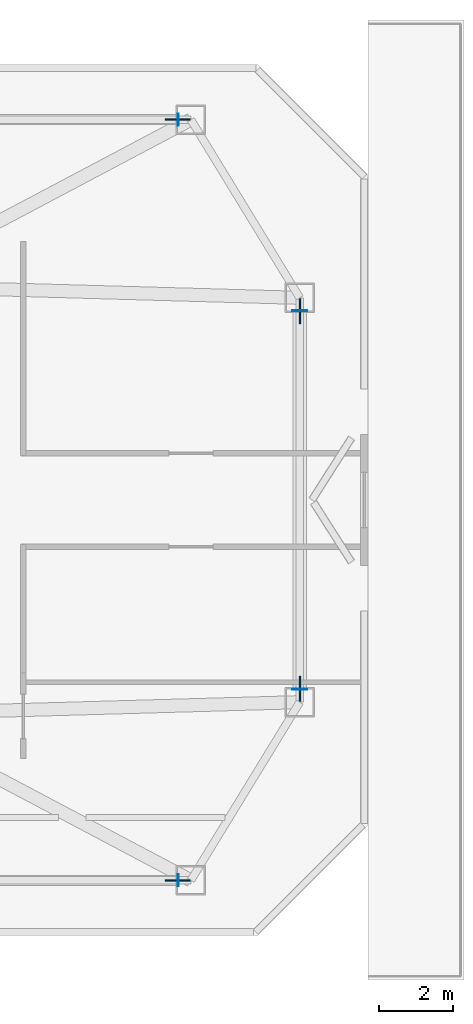
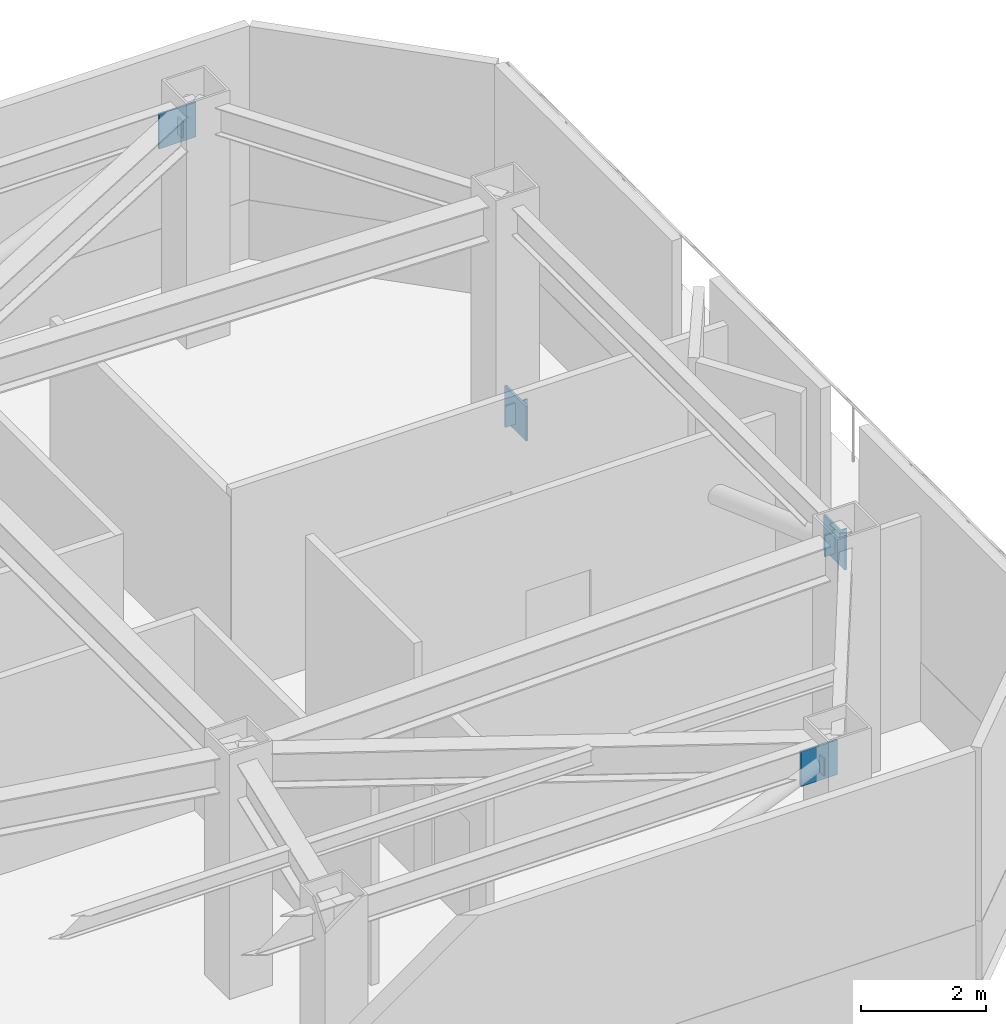
# One storey, part 4 of 10: 8 plates.
"""IFC4 building model written with IfcOpenShell, lengths in metres."""

from ifc_helpers import new_model, si_unit, direction, frame, origin, origin_2d, place, context, subcontext, project, spatial, rectangle, extrude, material, layer, layer_set, type_object, element, save


model = new_model("IFC4")

# Units and contexts
model_context = context("Model", 3, precision=1e-05, world=origin(), true_north=direction((0.0, 1.0)))
body_context = subcontext(model_context, "Body", "Model", "MODEL_VIEW")
ifc_project = project(units=[si_unit("LENGTHUNIT", "METRE"), si_unit("AREAUNIT", "SQUARE_METRE"), si_unit("VOLUMEUNIT", "CUBIC_METRE"), si_unit("PLANEANGLEUNIT", "RADIAN"), si_unit("MASSUNIT", "GRAM", prefix="KILO")], contexts=[model_context])

# Site, building, storey
site_placement = place(None, origin())
site = spatial("IfcSite", under=ifc_project, at=site_placement, CompositionType="ELEMENT")
building_placement = place(site_placement, origin())
building = spatial("IfcBuilding", under=site, at=building_placement, Name="Khamvora Tower", CompositionType="ELEMENT")
storey_placement = place(building_placement, frame((0.0, 0.0, 303.050048828125)))
storey = spatial("IfcBuildingStorey", under=building, at=storey_placement, Name="L77", CompositionType="ELEMENT", Elevation=303.050048828125)

# Plates
ifc_material_1 = material(Name="Steel S355", Category="steel")
ifc_layer_1 = layer(ifc_material_1, 0.02490234375)
ifc_layer_set_1 = layer_set([ifc_layer_1], Name="Steel S355")
plate_type_1 = type_object("IfcPlateType", Name="PL-CAP-25", PredefinedType="SHEET", material=ifc_layer_set_1)
for number, where, z_axis, x_axis, name in (
    (1, (61.949951171875, 33.12890625, 0.265869140625), (0.0, 0.0, 1.0), (0.0, -1.0, 0.0), "L77 hollow section steel end cap plate 1319"),
    (2, (61.949951171875, 22.87109375, 3.951904296875), (0.0, 0.0, 1.0), (0.0, -1.0, 0.0), "L77 hollow section steel end cap plate 1320"),
):
    element("IfcPlate", number, at=place(storey_placement, frame(where, z_axis=z_axis, x_axis=x_axis)), inside=storey, type_object=plate_type_1, Name=name, PredefinedType="SHEET", context=body_context, shape_type="SweptSolid", body=[
        extrude(rectangle(XDim=0.02490234375, YDim=0.416015625, at=origin_2d()), origin(), (0.0, 0.0, 1.0), 0.416015625),
    ])
for number, where, z_axis, x_axis, name in (
    (3, (58.662109375, 17.699951171875, 3.971435546875), (0.0, 0.0, 1.0), (1.0, 0.0, 0.0), "L77 hollow section steel end cap plate 1322"),
    (4, (58.662109375, 38.300048828125, 3.971435546875), (0.0, 0.0, 1.0), (1.0, 0.0, 0.0), "L77 hollow section steel end cap plate 1324"),
):
    element("IfcPlate", number, at=place(storey_placement, frame(where, z_axis=z_axis, x_axis=x_axis)), inside=storey, type_object=plate_type_1, Name=name, PredefinedType="SHEET", context=body_context, shape_type="SweptSolid", body=[
        extrude(rectangle(XDim=0.02490234375, YDim=0.3330078125, at=origin_2d()), origin(), (0.0, 0.0, 1.0), 0.3330078125),
    ])
ifc_material_2 = material(Name="Steel S460", Category="steel")
ifc_layer_2 = layer(ifc_material_2, 0.0400390625)
ifc_layer_set_2 = layer_set([ifc_layer_2], Name="Steel S460")
plate_type_2 = type_object("IfcPlateType", Name="PLT-GUS-40", PredefinedType="SHEET", material=ifc_layer_set_2)
for number, where, z_axis, x_axis, name in (
    (5, (61.949951171875, 33.116943359375, 0.13818359375), (0.0, 0.0, 1.0), (0.0, 1.0, 0.0), "L77 brace connection node gusset plate 0467"),
    (6, (61.949951171875, 22.883056640625, 3.81591796875), (0.0, 0.0, 1.0), (0.0, 1.0, 0.0), "L77 brace connection node gusset plate 0468"),
    (7, (58.64990234375, 17.699951171875, 3.79296875), (0.0, 0.0, 1.0), (1.0, 0.0, 0.0), "L77 brace connection node gusset plate 0470"),
    (8, (58.64990234375, 38.300048828125, 3.79296875), (0.0, 0.0, 1.0), (1.0, 0.0, 0.0), "L77 brace connection node gusset plate 0472"),
):
    element("IfcPlate", number, at=place(storey_placement, frame(where, z_axis=z_axis, x_axis=x_axis)), inside=storey, type_object=plate_type_2, Name=name, PredefinedType="SHEET", context=body_context, shape_type="SweptSolid", body=[
        extrude(rectangle(XDim=0.679931640625, YDim=0.0400390625, at=origin_2d()), origin(), (0.0, 0.0, 1.0), 0.679931640625),
    ])

save(model, "model.ifc")
